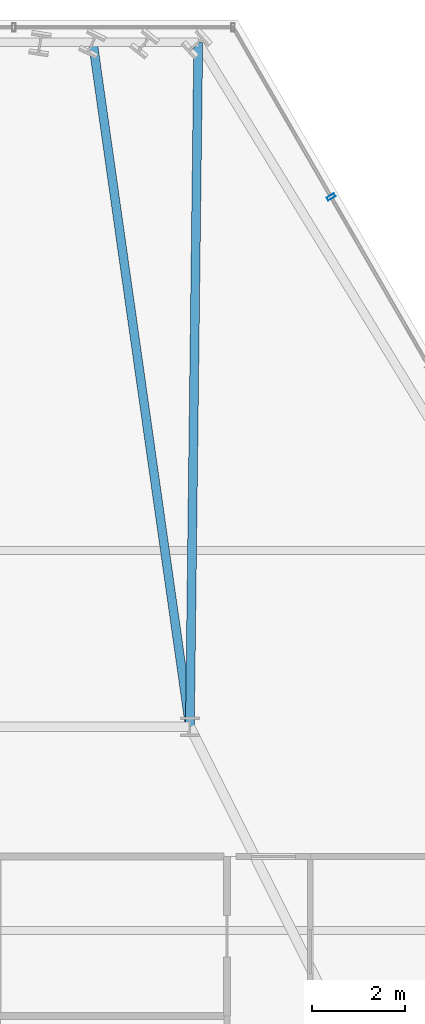
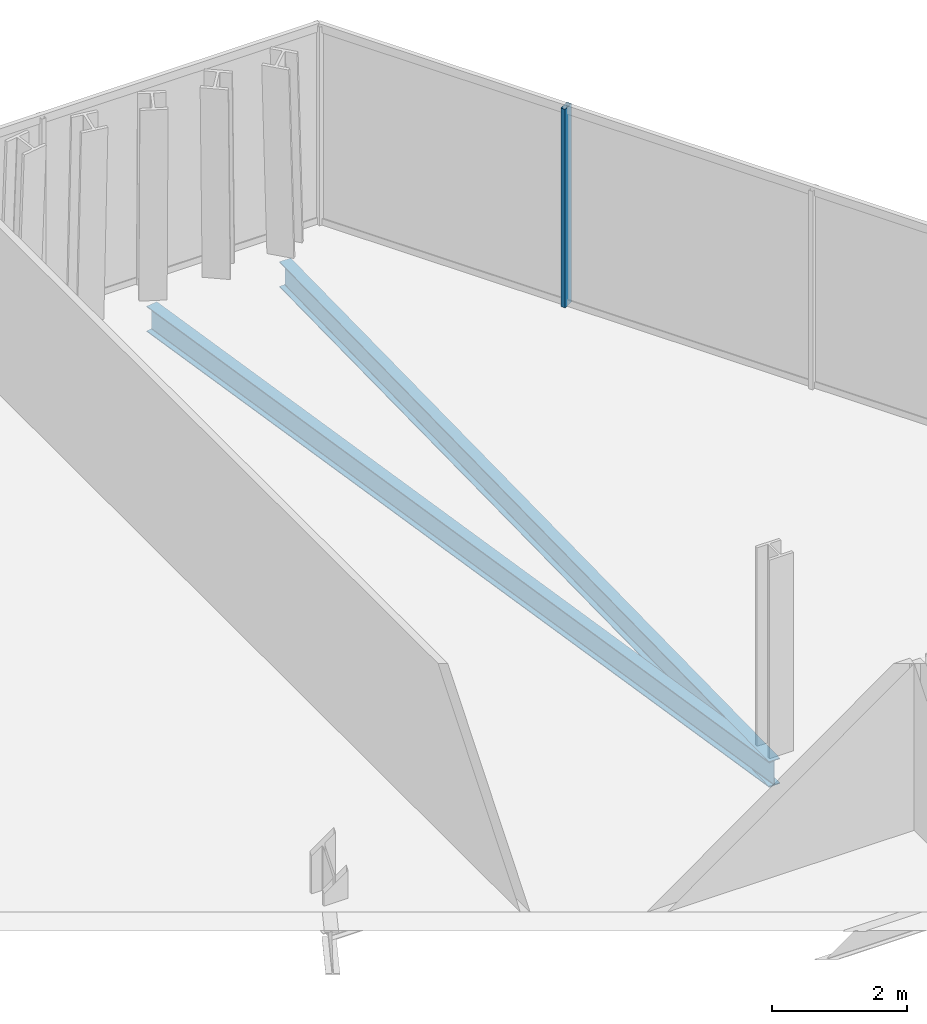
# One storey, part 22 of 33: 2 beams, 1 member, 1 element without a shape of its own.
"""IFC4 building model written with IfcOpenShell, lengths in metres."""

from ifc_helpers import new_model, si_unit, direction, frame, origin, origin_2d, place, context, subcontext, project, spatial, hollow_rectangle, i_section, extrude, material, layer, layer_set, material_profile, profile_set, type_object, element, aggregate, save


model = new_model("IFC4")

# Units and contexts
model_context = context("Model", 3, precision=1e-05, world=origin(), true_north=direction((0.0, 1.0)))
body_context = subcontext(model_context, "Body", "Model", "MODEL_VIEW")
ifc_project = project(units=[si_unit("LENGTHUNIT", "METRE"), si_unit("AREAUNIT", "SQUARE_METRE"), si_unit("VOLUMEUNIT", "CUBIC_METRE"), si_unit("PLANEANGLEUNIT", "RADIAN"), si_unit("MASSUNIT", "GRAM", prefix="KILO")], contexts=[model_context])

# Site, building, storey
site_placement = place(None, origin())
site = spatial("IfcSite", under=ifc_project, at=site_placement, CompositionType="ELEMENT")
building_placement = place(site_placement, origin())
building = spatial("IfcBuilding", under=site, at=building_placement, Name="Ndaravel Arena Tower", CompositionType="ELEMENT")
storey_placement = place(building_placement, frame((0.0, 0.0, 187.800048828125)))
storey = spatial("IfcBuildingStorey", under=building, at=storey_placement, Name="L45", CompositionType="ELEMENT", Elevation=187.800048828125)

# Beams
ifc_material_1 = material(Name="Steel S355", Category="steel")
ifc_material_profile_1 = material_profile(ifc_material_1, i_section(OverallWidth=0.19140625, OverallDepth=0.4599609375, WebThickness=0.010009765625, FlangeThickness=0.01611328125, FilletRadius=0.01025390625, at=origin_2d()), Name="UB 457x191x82")
ifc_profile_set_1 = profile_set([ifc_material_profile_1], Name="Steel S355")
beam_type = type_object("IfcBeamType", Name="BM-GIRD-UB457", PredefinedType="BEAM", material=ifc_profile_set_1)
beam_1_placement = place(storey_placement, frame((45.980712890625, 45.97265625, -0.449951171875), z_axis=(-0.012228671239, -0.999925227004, 0.0), x_axis=(0.999925227004, -0.012228671239, 0.0)))
element("IfcBeam", 1, at=beam_1_placement, inside=storey, type_object=beam_type, Name="L45 Radial Floor Girder FG-11", PredefinedType="BEAM", context=body_context, shape_type="SweptSolid", body=[
    extrude(i_section(OverallWidth=0.19140625, OverallDepth=0.4599609375, WebThickness=0.010009765625, FlangeThickness=0.01611328125, FilletRadius=0.01025390625, at=origin_2d()), origin(), (0.0, 0.0, 1.0), 14.77392578125),
])
beam_2_placement = place(storey_placement, frame((43.7060546875, 45.97265625, -0.449951171875), z_axis=(0.14034459377, -0.990102719418, 0.0), x_axis=(0.990102719418, 0.14034459377, 0.0)))
element("IfcBeam", 2, at=beam_2_placement, inside=storey, type_object=beam_type, Name="L45 Radial Floor Girder FG-13", PredefinedType="BEAM", context=body_context, shape_type="SweptSolid", body=[
    extrude(i_section(OverallWidth=0.19140625, OverallDepth=0.4599609375, WebThickness=0.010009765625, FlangeThickness=0.01611328125, FilletRadius=0.01025390625, at=origin_2d()), origin(), (0.0, 0.0, 1.0), 14.92041015625),
])

# Curtain wall, member
ifc_material_2 = material(Name="Aluminium", Category="aluminium")
ifc_layer = layer(ifc_material_2, 0.179931640625)
ifc_layer_set = layer_set([ifc_layer], Name="Aluminium")
curtain_wall_type = type_object("IfcCurtainWallType", Name="CW-SYS-03", PredefinedType="NOTDEFINED", material=ifc_layer_set)
curtain_wall_placement = place(storey_placement, origin())
curtain_wall = element("IfcCurtainWall", 3, at=curtain_wall_placement, inside=storey, type_object=curtain_wall_type, Name="L45 Faceted Crystal Curtain Wall CW-L45-E03", PredefinedType="NOTDEFINED")
ifc_material_3 = material(Name="Aluminium", Category="aluminium")
ifc_material_profile_2 = material_profile(ifc_material_3, hollow_rectangle(XDim=0.074951171875, YDim=0.179931640625, WallThickness=0.00390625, at=origin_2d()), Name="CW MULLION 75x180x4")
ifc_profile_set_2 = profile_set([ifc_material_profile_2], Name="Aluminium")
member_type = type_object("IfcMemberType", Name="MEM-CW-MUL180", PredefinedType="MULLION", material=ifc_profile_set_2)
member_placement = place(storey_placement, frame((48.8466796875, 42.63330078125, 0.0), z_axis=(0.0, 0.0, 1.0), x_axis=(-0.5, 0.866025403784, 0.0)))
member = element("IfcMember", 4, at=member_placement, type_object=member_type, Name="CW-L45-E03 Mullion 08", PredefinedType="MULLION", context=body_context, shape_type="SweptSolid", body=[
    extrude(hollow_rectangle(XDim=0.074951171875, YDim=0.179931640625, WallThickness=0.00390625, at=origin_2d()), origin(), (0.0, 0.0, 1.0), 3.579833984375),
])
aggregate(curtain_wall, [member])

save(model, "model.ifc")
